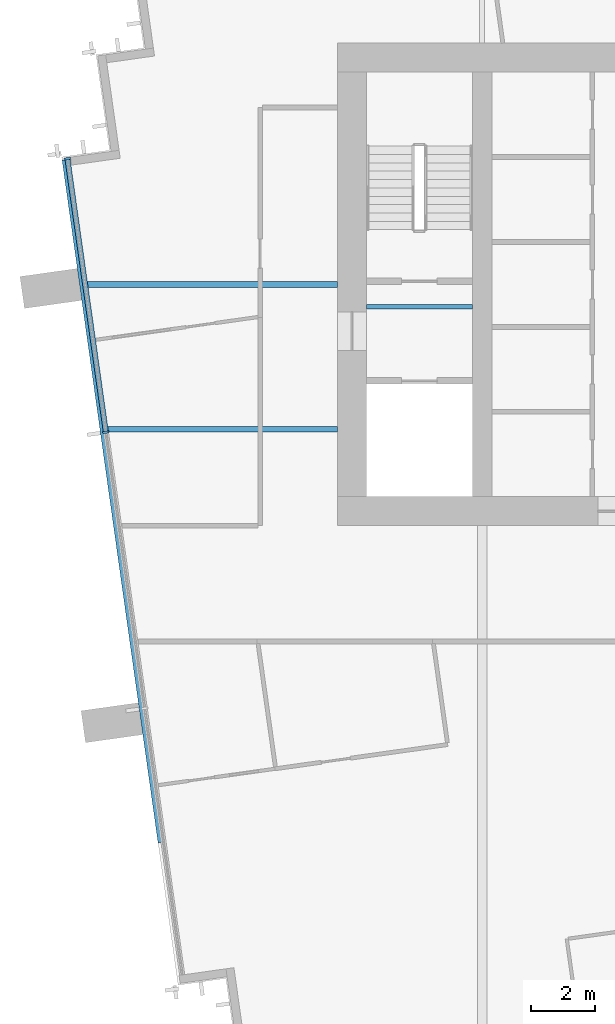
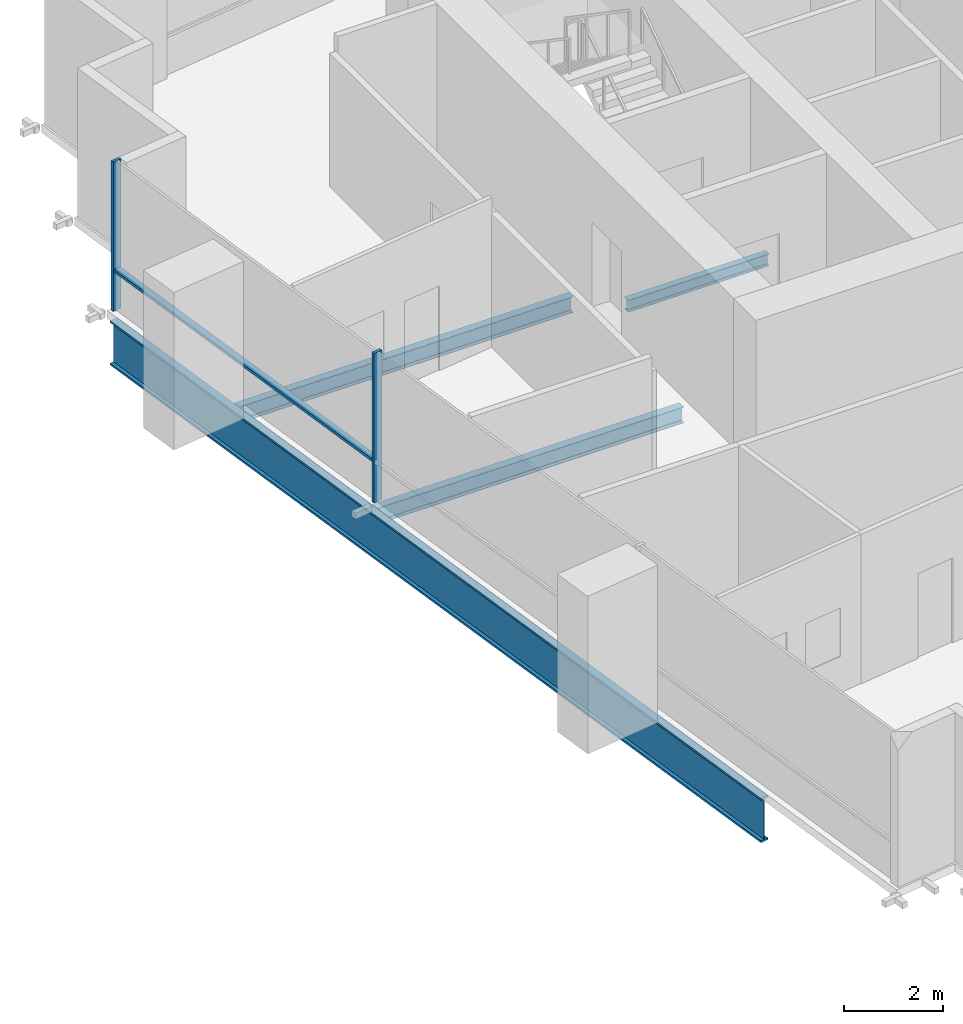
# One storey, part 3 of 12: 4 beams, 3 members, 1 element without a shape of its own.
"""IFC4 building model written with IfcOpenShell, lengths in metres."""

from ifc_helpers import new_model, si_unit, direction, frame, origin, origin_2d, place, context, subcontext, project, spatial, rectangle, i_section, extrude, material, layer, layer_set, material_profile, profile_set, type_object, element, aggregate, save


model = new_model("IFC4")

# Units and contexts
model_context = context("Model", 3, precision=1e-05, world=origin(), true_north=direction((0.0, 1.0)))
body_context = subcontext(model_context, "Body", "Model", "MODEL_VIEW")
ifc_project = project(units=[si_unit("LENGTHUNIT", "METRE"), si_unit("AREAUNIT", "SQUARE_METRE"), si_unit("VOLUMEUNIT", "CUBIC_METRE"), si_unit("PLANEANGLEUNIT", "RADIAN"), si_unit("MASSUNIT", "GRAM", prefix="KILO")], contexts=[model_context])

# Site, building, storey
site_placement = place(None, origin())
site = spatial("IfcSite", under=ifc_project, at=site_placement, CompositionType="ELEMENT")
building_placement = place(site_placement, origin())
building = spatial("IfcBuilding", under=site, at=building_placement, Name="Rattan Terrace Tower", CompositionType="ELEMENT")
storey_placement = place(building_placement, frame((0.0, 0.0, 259.0)))
storey = spatial("IfcBuildingStorey", under=building, at=storey_placement, Name="L59", CompositionType="ELEMENT", Elevation=259.0)

# Beams
ifc_material_1 = material(Name="Steel S460", Category="steel")
ifc_material_profile_1 = material_profile(ifc_material_1, i_section(OverallWidth=0.179931640625, OverallDepth=1.10009765625, WebThickness=0.01611328125, FlangeThickness=0.050048828125, at=origin_2d()), Name="PG 1100x180-16-50")
ifc_profile_set_1 = profile_set([ifc_material_profile_1], Name="Steel S460")
beam_type_1 = type_object("IfcBeamType", Name="Frame edge girder PG 1100x180-16-50", PredefinedType="SPANDREL", material=ifc_profile_set_1)
beam_1_placement = place(storey_placement, frame((-23.485107421875, -17.347900390625, -0.75), z_axis=(-0.139189723544, 0.990265732448, 0.0), x_axis=(-0.990265732448, -0.139189723544, 0.0)))
element("IfcBeam", 1, at=beam_1_placement, inside=storey, type_object=beam_type_1, Name="gdr-L59-003", PredefinedType="SPANDREL", context=body_context, shape_type="SweptSolid", body=[
    extrude(i_section(OverallWidth=0.179931640625, OverallDepth=1.10009765625, WebThickness=0.01611328125, FlangeThickness=0.050048828125, at=origin_2d()), origin(), (0.0, 0.0, 1.0), 21.430419921875),
])
ifc_material_2 = material(Name="Steel S355", Category="steel")
ifc_material_profile_2 = material_profile(ifc_material_2, i_section(OverallWidth=0.14990234375, OverallDepth=0.300048828125, WebThickness=0.007080078125, FlangeThickness=0.0107421875, FilletRadius=0.014892578125, at=origin_2d()), Name="IPE 300")
ifc_profile_set_2 = profile_set([ifc_material_profile_2], Name="Steel S355")
beam_type_2 = type_object("IfcBeamType", Name="Frame floor beam IPE 300", PredefinedType="JOIST", material=ifc_profile_set_2)
beam_2_placement = place(storey_placement, frame((-17.10009765625, -0.695068359375, -0.35009765625), z_axis=(1.0, 0.0, 0.0), x_axis=(0.0, 1.0, 0.0)))
element("IfcBeam", 2, at=beam_2_placement, inside=storey, type_object=beam_type_2, Name="bm-L59-001", PredefinedType="JOIST", context=body_context, shape_type="SweptSolid", body=[
    extrude(i_section(OverallWidth=0.14990234375, OverallDepth=0.300048828125, WebThickness=0.007080078125, FlangeThickness=0.0107421875, FilletRadius=0.014892578125, at=origin_2d()), origin(), (0.0, 0.0, 1.0), 3.300048828125),
])
ifc_material_3 = material(Name="Steel S355", Category="steel")
ifc_material_profile_3 = material_profile(ifc_material_3, i_section(OverallWidth=0.179931640625, OverallDepth=0.39990234375, WebThickness=0.008544921875, FlangeThickness=0.013427734375, FilletRadius=0.02099609375, at=origin_2d()), Name="IPE 400")
ifc_profile_set_3 = profile_set([ifc_material_profile_3], Name="Steel S355")
beam_type_3 = type_object("IfcBeamType", Name="Frame floor beam IPE 400", PredefinedType="JOIST", material=ifc_profile_set_3)
beam_3_placement = place(storey_placement, frame((-25.18701171875, -4.5, -0.39990234375), z_axis=(1.0, 0.0, 0.0), x_axis=(0.0, 1.0, 0.0)))
element("IfcBeam", 3, at=beam_3_placement, inside=storey, type_object=beam_type_3, Name="bm-L59-010", PredefinedType="JOIST", context=body_context, shape_type="SweptSolid", body=[
    extrude(i_section(OverallWidth=0.179931640625, OverallDepth=0.39990234375, WebThickness=0.008544921875, FlangeThickness=0.013427734375, FilletRadius=0.02099609375, at=origin_2d()), origin(), (0.0, 0.0, 1.0), 7.18701171875),
])
beam_4_placement = place(storey_placement, frame((-25.820068359375, 0.0, -0.39990234375), z_axis=(1.0, 0.0, 0.0), x_axis=(0.0, 1.0, 0.0)))
element("IfcBeam", 4, at=beam_4_placement, inside=storey, type_object=beam_type_3, Name="bm-L59-012", PredefinedType="JOIST", context=body_context, shape_type="SweptSolid", body=[
    extrude(i_section(OverallWidth=0.179931640625, OverallDepth=0.39990234375, WebThickness=0.008544921875, FlangeThickness=0.013427734375, FilletRadius=0.02099609375, at=origin_2d()), origin(), (0.0, 0.0, 1.0), 7.820068359375),
])

# Curtain wall, members
ifc_material_4 = material(Name="Aluminium and laminated glass", Category="aluminium")
ifc_layer = layer(ifc_material_4, 0.199951171875)
ifc_layer_set = layer_set([ifc_layer], Name="High-Zone Unitised Curtain Wall")
curtain_wall_type = type_object("IfcCurtainWallType", Name="High-Zone Unitised Curtain Wall", PredefinedType="NOTDEFINED", material=ifc_layer_set)
curtain_wall_placement = place(storey_placement, origin())
curtain_wall = element("IfcCurtainWall", 5, at=curtain_wall_placement, inside=storey, type_object=curtain_wall_type, Name="High-zone curtain wall L59-3", PredefinedType="NOTDEFINED")
ifc_material_5 = material(Name="Aluminium", Category="aluminium")
ifc_material_profile_4 = material_profile(ifc_material_5, rectangle(XDim=0.070068359375, YDim=0.199951171875, at=origin_2d()), Name="Aluminium 70x200")
ifc_profile_set_4 = profile_set([ifc_material_profile_4], Name="Aluminium")
member_type_1 = type_object("IfcMemberType", Name="High-Zone CW Mullion 70x200", PredefinedType="MULLION", material=ifc_profile_set_4)
member_1_placement = place(storey_placement, frame((-26.3916015625, 3.908447265625, 0.0), z_axis=(0.0, 0.0, 1.0), x_axis=(0.139191775431, -0.990265444036, 0.0)))
member_1 = element("IfcMember", 6, at=member_1_placement, type_object=member_type_1, Name="Mullion cwl-L59-003.1", PredefinedType="MULLION", context=body_context, shape_type="SweptSolid", body=[
    extrude(rectangle(XDim=0.070068359375, YDim=0.199951171875, at=origin_2d()), origin(), (0.0, 0.0, 1.0), 3.699951171875),
])
member_2_placement = place(storey_placement, frame((-25.1962890625, -4.594970703125, 0.0), z_axis=(0.0, 0.0, 1.0), x_axis=(0.139191775431, -0.990265444036, 0.0)))
member_2 = element("IfcMember", 7, at=member_2_placement, type_object=member_type_1, Name="Mullion cwl-L59-003.2", PredefinedType="MULLION", context=body_context, shape_type="SweptSolid", body=[
    extrude(rectangle(XDim=0.070068359375, YDim=0.199951171875, at=origin_2d()), origin(), (0.0, 0.0, 1.0), 3.699951171875),
])
ifc_material_6 = material(Name="Aluminium", Category="aluminium")
ifc_material_profile_5 = material_profile(ifc_material_6, rectangle(XDim=0.159912109375, YDim=0.070068359375, at=origin_2d()), Name="Aluminium 160x70")
ifc_profile_set_5 = profile_set([ifc_material_profile_5], Name="Aluminium")
member_type_2 = type_object("IfcMemberType", Name="High-Zone CW Transom 160x70", PredefinedType="USERDEFINED", material=ifc_profile_set_5)
member_3_placement = place(storey_placement, frame((-26.38671875, 3.873779296875, 1.0), z_axis=(0.139197734293, -0.99026460644, 0.0), x_axis=(0.99026460644, 0.139197734293, 0.0)))
member_3 = element("IfcMember", 8, at=member_3_placement, type_object=member_type_2, Name="Transom cwl-L59-003.1", ObjectType="TRANSOM", PredefinedType="USERDEFINED", context=body_context, shape_type="SweptSolid", body=[
    extrude(rectangle(XDim=0.159912109375, YDim=0.070068359375, at=origin_2d()), origin(), (0.0, 0.0, 1.0), 8.51708984375),
])
aggregate(curtain_wall, [member_1, member_2, member_3])

save(model, "model.ifc")
